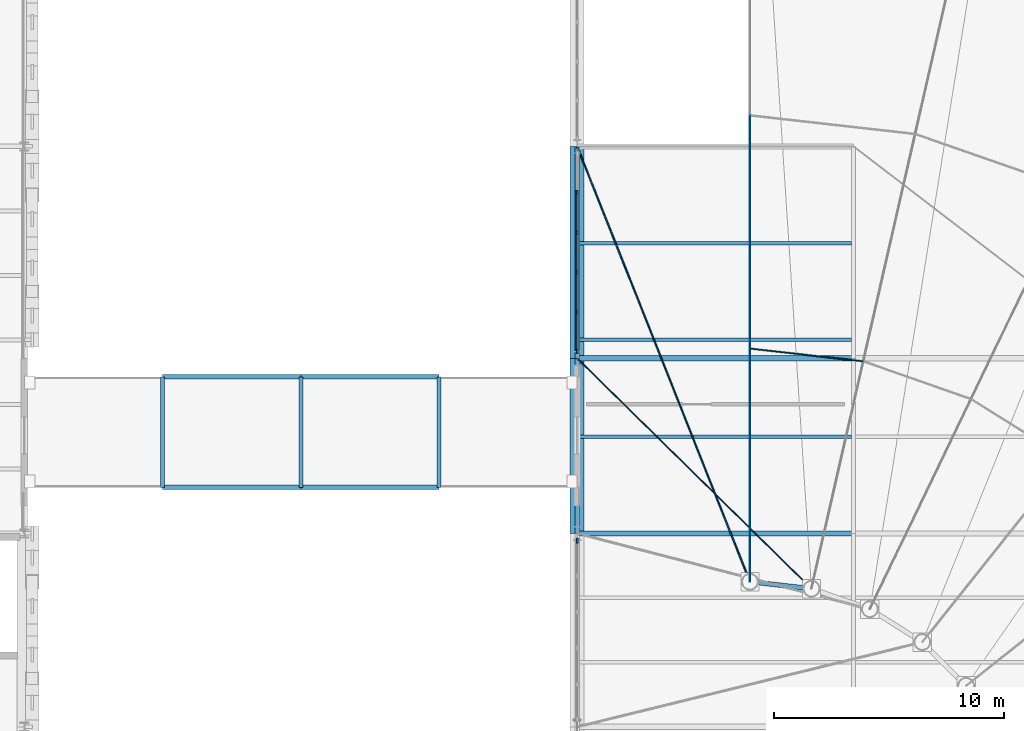
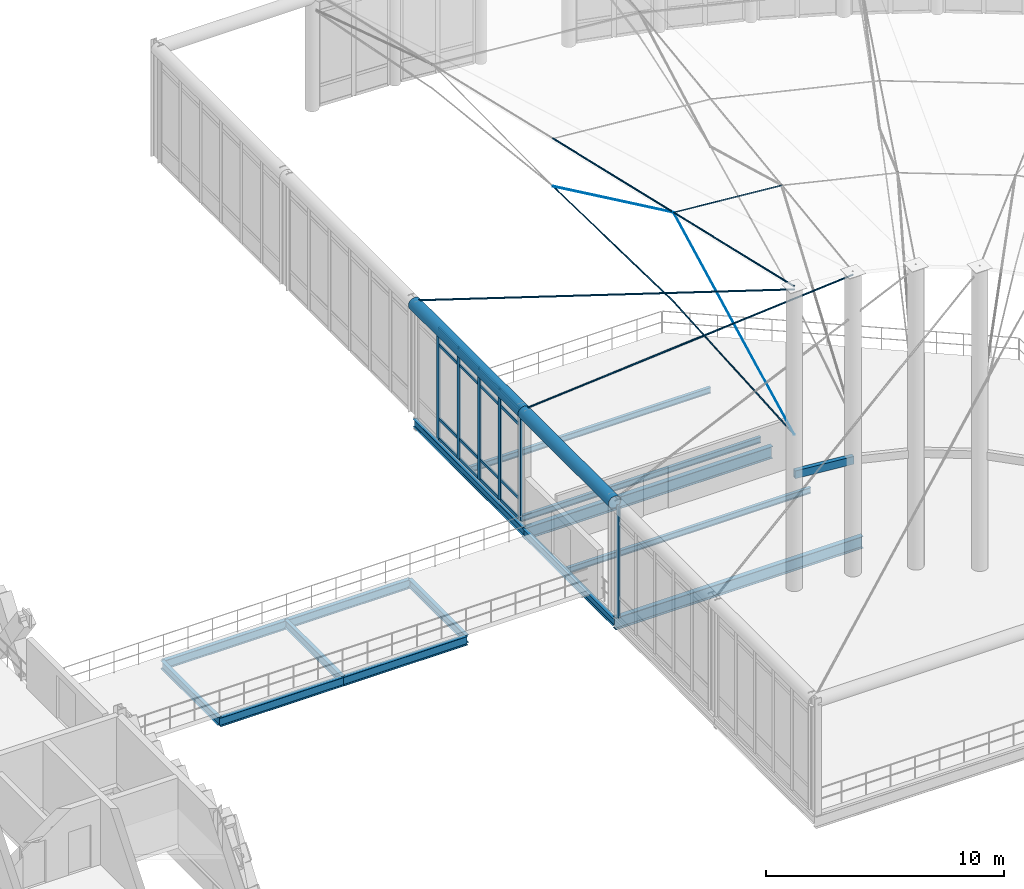
# One storey, part 41 of 101: 31 members, 17 beams, 2 elements without a shape of their own.
"""IFC4 building model written with IfcOpenShell, lengths in metres."""

from ifc_helpers import new_model, si_unit, direction, frame, origin, origin_2d, place, context, subcontext, project, spatial, rectangle, hollow_rectangle, circle, hollow_circle, i_section, extrude, material, layer, layer_set, material_profile, profile_set, type_object, element, aggregate, save


model = new_model("IFC4")

# Units and contexts
model_context = context("Model", 3, precision=1e-05, world=origin(), true_north=direction((0.0, 1.0)))
body_context = subcontext(model_context, "Body", "Model", "MODEL_VIEW")
ifc_project = project(units=[si_unit("LENGTHUNIT", "METRE"), si_unit("AREAUNIT", "SQUARE_METRE"), si_unit("VOLUMEUNIT", "CUBIC_METRE"), si_unit("PLANEANGLEUNIT", "RADIAN"), si_unit("MASSUNIT", "GRAM", prefix="KILO"), si_unit("THERMODYNAMICTEMPERATUREUNIT", "KELVIN"), si_unit("POWERUNIT", "WATT")], contexts=[model_context])

# Site, building, storey
site_placement = place(None, origin())
site = spatial("IfcSite", under=ifc_project, at=site_placement, CompositionType="ELEMENT")
building_placement = place(site_placement, origin())
building = spatial("IfcBuilding", under=site, at=building_placement, Name="Tembeka Court Mobility Hub", CompositionType="ELEMENT")
storey_placement = place(building_placement, frame((0.0, 0.0, 5.39990234375)))
storey = spatial("IfcBuildingStorey", under=building, at=storey_placement, Name="L01", CompositionType="ELEMENT", Elevation=5.39990234375)

# Beams
ifc_material_1 = material(Name="Steel S355", Category="steel")
ifc_material_profile_1 = material_profile(ifc_material_1, i_section(OverallWidth=0.18994140625, OverallDepth=0.45703125, WebThickness=0.009033203125, FlangeThickness=0.014404296875, FilletRadius=0.01025390625, at=origin_2d()), Name="UKB 457x191x74")
ifc_profile_set_1 = profile_set([ifc_material_profile_1], Name="Steel S355")
beam_type_1 = type_object("IfcBeamType", Name="BM-B01", PredefinedType="BEAM", material=ifc_profile_set_1)
for number, where, z_axis, x_axis, name in (
    (1, (98.39990234375, 82.39990234375, -0.45849609375), (1.0, 0.0, 0.0), (0.0, 1.0, 0.0), "Beam B01 (BM-L01-X0729)"),
    (2, (104.39990234375, 82.39990234375, -0.45849609375), (1.0, 0.0, 0.0), (0.0, 1.0, 0.0), "Beam B01 (BM-L01-X0730)"),
    (3, (98.39990234375, 87.199951171875, -0.45849609375), (1.0, 0.0, 0.0), (0.0, 1.0, 0.0), "Beam B01 (BM-L01-X0731)"),
    (4, (104.39990234375, 87.199951171875, -0.45849609375), (1.0, 0.0, 0.0), (0.0, 1.0, 0.0), "Beam B01 (BM-L01-X0732)"),
):
    element("IfcBeam", number, at=place(storey_placement, frame(where, z_axis=z_axis, x_axis=x_axis)), inside=storey, type_object=beam_type_1, Name=name, PredefinedType="BEAM", context=body_context, shape_type="SweptSolid", body=[
        extrude(i_section(OverallWidth=0.18994140625, OverallDepth=0.45703125, WebThickness=0.009033203125, FlangeThickness=0.014404296875, FilletRadius=0.01025390625, at=origin_2d()), origin(), (0.0, 0.0, 1.0), 6.0),
    ])
ifc_material_profile_2 = material_profile(ifc_material_1, i_section(OverallWidth=0.177978515625, OverallDepth=0.406005859375, WebThickness=0.0078125, FlangeThickness=0.0126953125, FilletRadius=0.01025390625, at=origin_2d()), Name="UKB 406x178x60")
ifc_profile_set_2 = profile_set([ifc_material_profile_2], Name="Steel S355")
beam_type_2 = type_object("IfcBeamType", Name="BM-B02", PredefinedType="BEAM", material=ifc_profile_set_2)
for number, where, z_axis, x_axis, name in (
    (5, (98.39990234375, 82.39990234375, -0.432861328125), (0.0, 1.0, 0.0), (-1.0, 0.0, 0.0), "Beam B02 (BM-L01-Y0867)"),
    (6, (104.39990234375, 82.39990234375, -0.432861328125), (0.0, 1.0, 0.0), (-1.0, 0.0, 0.0), "Beam B02 (BM-L01-Y0869)"),
    (7, (110.39990234375, 82.39990234375, -0.432861328125), (0.0, 1.0, 0.0), (-1.0, 0.0, 0.0), "Beam B02 (BM-L01-Y0871)"),
):
    element("IfcBeam", number, at=place(storey_placement, frame(where, z_axis=z_axis, x_axis=x_axis)), inside=storey, type_object=beam_type_2, Name=name, PredefinedType="BEAM", context=body_context, shape_type="SweptSolid", body=[
        extrude(i_section(OverallWidth=0.177978515625, OverallDepth=0.406005859375, WebThickness=0.0078125, FlangeThickness=0.0126953125, FilletRadius=0.01025390625, at=origin_2d()), origin(), (0.0, 0.0, 1.0), 4.800048828125),
    ])
beam_1_placement = place(storey_placement, frame((116.39990234375, 80.39990234375, -0.432861328125), z_axis=(0.0, 1.0, 0.0), x_axis=(-1.0, 0.0, 0.0)))
element("IfcBeam", 8, at=beam_1_placement, inside=storey, type_object=beam_type_2, Name="Beam B02 (BM-L01-Y0878)", PredefinedType="BEAM", context=body_context, shape_type="SweptSolid", body=[
    extrude(i_section(OverallWidth=0.177978515625, OverallDepth=0.406005859375, WebThickness=0.0078125, FlangeThickness=0.0126953125, FilletRadius=0.01025390625, at=origin_2d()), origin(), (0.0, 0.0, 1.0), 7.60009765625),
])
beam_2_placement = place(storey_placement, frame((116.39990234375, 88.0, -0.392822265625), z_axis=(0.0, 1.0, 0.0), x_axis=(-1.0, 0.0, 0.0)))
element("IfcBeam", 9, at=beam_2_placement, inside=storey, type_object=beam_type_2, Name="Beam B02 (BM-L01-Y0879)", PredefinedType="BEAM", context=body_context, shape_type="SweptSolid", body=[
    extrude(i_section(OverallWidth=0.177978515625, OverallDepth=0.406005859375, WebThickness=0.0078125, FlangeThickness=0.0126953125, FilletRadius=0.01025390625, at=origin_2d()), origin(), (0.0, 0.0, 1.0), 9.199951171875),
])
ifc_material_profile_3 = material_profile(ifc_material_1, i_section(OverallWidth=0.22900390625, OverallDepth=0.612060546875, WebThickness=0.011962890625, FlangeThickness=0.01953125, FilletRadius=0.0126953125, at=origin_2d()), Name="UKB 610x229x125")
ifc_profile_set_3 = profile_set([ifc_material_profile_3], Name="Steel S355")
beam_type_3 = type_object("IfcBeamType", Name="BM-G02", PredefinedType="USERDEFINED", material=ifc_profile_set_3)
for number, where, z_axis, x_axis, name in (
    (10, (116.39990234375, 80.39990234375, -0.495849609375), (1.0, 0.0, 0.0), (0.0, 1.0, 0.0), "Beam G02 (BM-L01-X0727)"),
    (11, (116.39990234375, 88.0, -0.495849609375), (1.0, 0.0, 0.0), (0.0, 1.0, 0.0), "Beam G02 (BM-L01-X0733)"),
):
    element("IfcBeam", number, at=place(storey_placement, frame(where, z_axis=z_axis, x_axis=x_axis)), inside=storey, type_object=beam_type_3, Name=name, ObjectType="GIRDER", PredefinedType="USERDEFINED", context=body_context, shape_type="SweptSolid", body=[
        extrude(i_section(OverallWidth=0.22900390625, OverallDepth=0.612060546875, WebThickness=0.011962890625, FlangeThickness=0.01953125, FilletRadius=0.0126953125, at=origin_2d()), origin(), (0.0, 0.0, 1.0), 12.0),
    ])
ifc_material_profile_4 = material_profile(ifc_material_1, i_section(OverallWidth=0.14990234375, OverallDepth=0.300048828125, WebThickness=0.007080078125, FlangeThickness=0.0107421875, FilletRadius=0.014892578125, at=origin_2d()), Name="IPE 300")
ifc_profile_set_4 = profile_set([ifc_material_profile_4], Name="Steel S355")
beam_type_4 = type_object("IfcBeamType", Name="BM-J04", PredefinedType="JOIST", material=ifc_profile_set_4)
for number, where, z_axis, x_axis, name in (
    (12, (116.48388671875, 84.60009765625, -0.3798828125), (1.0, 0.0, 0.0), (0.0, 1.0, 0.0), "Beam J04 (JST-L01-1119)"),
    (13, (116.48388671875, 88.800048828125, -0.33984375), (1.0, 0.0, 0.0), (0.0, 1.0, 0.0), "Beam J04 (JST-L01-1120)"),
    (14, (116.48388671875, 93.0, -0.33984375), (1.0, 0.0, 0.0), (0.0, 1.0, 0.0), "Beam J04 (JST-L01-1121)"),
):
    element("IfcBeam", number, at=place(storey_placement, frame(where, z_axis=z_axis, x_axis=x_axis)), inside=storey, type_object=beam_type_4, Name=name, PredefinedType="JOIST", context=body_context, shape_type="SweptSolid", body=[
        extrude(i_section(OverallWidth=0.14990234375, OverallDepth=0.300048828125, WebThickness=0.007080078125, FlangeThickness=0.0107421875, FilletRadius=0.014892578125, at=origin_2d()), origin(), (0.0, 0.0, 1.0), 11.83203125),
    ])
ifc_material_profile_5 = material_profile(ifc_material_1, hollow_circle(Radius=0.304931640625, WallThickness=0.02001953125, at=origin_2d()), Name="CHS 610x20")
ifc_profile_set_5 = profile_set([ifc_material_profile_5], Name="Steel S355")
beam_type_5 = type_object("IfcBeamType", Name="BM-RB01", PredefinedType="BEAM", material=ifc_profile_set_5)
beam_3_placement = place(storey_placement, frame((116.39990234375, 97.199951171875, 5.695068359375), z_axis=(0.0, -1.0, 0.0), x_axis=(1.0, 0.0, 0.0)))
element("IfcBeam", 15, at=beam_3_placement, inside=storey, type_object=beam_type_5, Name="Concourse inner chord ring beam RB01-CH04", PredefinedType="BEAM", context=body_context, shape_type="SweptSolid", body=[
    extrude(hollow_circle(Radius=0.304931640625, WallThickness=0.02001953125, at=origin_2d()), origin(), (0.0, 0.0, 1.0), 9.199951171875),
])
beam_4_placement = place(storey_placement, frame((116.39990234375, 88.0, 5.695068359375), z_axis=(0.0, -1.0, 0.0), x_axis=(1.0, 0.0, 0.0)))
element("IfcBeam", 16, at=beam_4_placement, inside=storey, type_object=beam_type_5, Name="Concourse inner chord ring beam RB01-CH05", PredefinedType="BEAM", context=body_context, shape_type="SweptSolid", body=[
    extrude(hollow_circle(Radius=0.304931640625, WallThickness=0.02001953125, at=origin_2d()), origin(), (0.0, 0.0, 1.0), 7.60009765625),
])
ifc_material_profile_6 = material_profile(ifc_material_1, hollow_rectangle(XDim=0.199951171875, YDim=0.39990234375, WallThickness=0.012451171875, at=origin_2d()), Name="RHS 400x200x12.5")
ifc_profile_set_6 = profile_set([ifc_material_profile_6], Name="Steel S355")
beam_type_6 = type_object("IfcBeamType", Name="BM-RB02", PredefinedType="BEAM", material=ifc_profile_set_6)
beam_5_placement = place(storey_placement, frame((126.5703125, 77.9990234375, 5.800048828125), z_axis=(-0.993706311733, 0.112016811334, 0.0), x_axis=(-0.112016811334, -0.993706311733, 0.0)))
element("IfcBeam", 17, at=beam_5_placement, inside=storey, type_object=beam_type_6, Name="Concourse inner mast ring beam RB02-07", PredefinedType="BEAM", context=body_context, shape_type="SweptSolid", body=[
    extrude(hollow_rectangle(XDim=0.199951171875, YDim=0.39990234375, WallThickness=0.012451171875, at=origin_2d()), origin(), (0.0, 0.0, 1.0), 2.687255859375),
])

# Curtain wall, member
ifc_material_2 = material(Name="Anodised aluminium 6063-T6", Category="aluminium")
ifc_layer_1 = layer(ifc_material_2, 0.199951171875)
ifc_layer_set_1 = layer_set([ifc_layer_1], Name="Anodised aluminium 6063-T6")
curtain_wall_type_1 = type_object("IfcCurtainWallType", Name="CW-SYS26", PredefinedType="USERDEFINED", material=ifc_layer_set_1)
curtain_wall_1_placement = place(storey_placement, origin())
curtain_wall_1 = element("IfcCurtainWall", 18, at=curtain_wall_1_placement, inside=storey, type_object=curtain_wall_type_1, Name="Unitised curtain wall CW26 (CW-L01-085)", ObjectType="UNITISED GLAZING", PredefinedType="USERDEFINED")
ifc_material_profile_7 = material_profile(ifc_material_2, rectangle(XDim=0.074951171875, YDim=0.199951171875, at=origin_2d()), Name="ALU-MUL 75x200")
ifc_profile_set_7 = profile_set([ifc_material_profile_7], Name="Anodised aluminium 6063-T6")
member_type_1 = type_object("IfcMemberType", Name="CW-MUL02", PredefinedType="MULLION", material=ifc_profile_set_7)
member_1_placement = place(storey_placement, frame((116.39990234375, 80.08251953125, 0.0), z_axis=(0.0, 0.0, 1.0), x_axis=(-1.0, 0.0, 0.0)))
member_1 = element("IfcMember", 19, at=member_1_placement, type_object=member_type_1, Name="CW26 mullion 6", PredefinedType="MULLION", context=body_context, shape_type="SweptSolid", body=[
    extrude(rectangle(XDim=0.074951171875, YDim=0.199951171875, at=origin_2d()), origin(), (0.0, 0.0, 1.0), 5.7001953125),
])
aggregate(curtain_wall_1, [member_1])

# Curtain wall, members
ifc_layer_2 = layer(ifc_material_2, 0.199951171875)
ifc_layer_set_2 = layer_set([ifc_layer_2], Name="Anodised aluminium 6063-T6")
curtain_wall_type_2 = type_object("IfcCurtainWallType", Name="CW-SYS29", PredefinedType="USERDEFINED", material=ifc_layer_set_2)
curtain_wall_2_placement = place(storey_placement, origin())
curtain_wall_2 = element("IfcCurtainWall", 20, at=curtain_wall_2_placement, inside=storey, type_object=curtain_wall_type_2, Name="Unitised curtain wall CW29 (CW-L01-088)", ObjectType="UNITISED GLAZING", PredefinedType="USERDEFINED")
member_2_placement = place(storey_placement, frame((116.39990234375, 88.3173828125, 0.0), z_axis=(0.0, 0.0, 1.0), x_axis=(-1.0, 0.0, 0.0)))
member_2 = element("IfcMember", 21, at=member_2_placement, type_object=member_type_1, Name="CW29 mullion 1", PredefinedType="MULLION", context=body_context, shape_type="SweptSolid", body=[
    extrude(rectangle(XDim=0.074951171875, YDim=0.199951171875, at=origin_2d()), origin(), (0.0, 0.0, 1.0), 5.7001953125),
])
member_3_placement = place(storey_placement, frame((116.39990234375, 90.008056640625, 0.0), z_axis=(0.0, 0.0, 1.0), x_axis=(-1.0, 0.0, 0.0)))
member_3 = element("IfcMember", 22, at=member_3_placement, type_object=member_type_1, Name="CW29 mullion 2", PredefinedType="MULLION", context=body_context, shape_type="SweptSolid", body=[
    extrude(rectangle(XDim=0.074951171875, YDim=0.199951171875, at=origin_2d()), origin(), (0.0, 0.0, 1.0), 5.7001953125),
])
member_4_placement = place(storey_placement, frame((116.39990234375, 91.736083984375, 0.0), z_axis=(0.0, 0.0, 1.0), x_axis=(-1.0, 0.0, 0.0)))
member_4 = element("IfcMember", 23, at=member_4_placement, type_object=member_type_1, Name="CW29 mullion 3", PredefinedType="MULLION", context=body_context, shape_type="SweptSolid", body=[
    extrude(rectangle(XDim=0.074951171875, YDim=0.199951171875, at=origin_2d()), origin(), (0.0, 0.0, 1.0), 5.7001953125),
])
member_5_placement = place(storey_placement, frame((116.39990234375, 93.464111328125, 0.0), z_axis=(0.0, 0.0, 1.0), x_axis=(-1.0, 0.0, 0.0)))
member_5 = element("IfcMember", 24, at=member_5_placement, type_object=member_type_1, Name="CW29 mullion 4", PredefinedType="MULLION", context=body_context, shape_type="SweptSolid", body=[
    extrude(rectangle(XDim=0.074951171875, YDim=0.199951171875, at=origin_2d()), origin(), (0.0, 0.0, 1.0), 5.7001953125),
])
member_6_placement = place(storey_placement, frame((116.39990234375, 95.19189453125, 0.0), z_axis=(0.0, 0.0, 1.0), x_axis=(-1.0, 0.0, 0.0)))
member_6 = element("IfcMember", 25, at=member_6_placement, type_object=member_type_1, Name="CW29 mullion 5", PredefinedType="MULLION", context=body_context, shape_type="SweptSolid", body=[
    extrude(rectangle(XDim=0.074951171875, YDim=0.199951171875, at=origin_2d()), origin(), (0.0, 0.0, 1.0), 5.7001953125),
])
ifc_material_profile_8 = material_profile(ifc_material_2, rectangle(XDim=0.074951171875, YDim=0.14990234375, at=origin_2d()), Name="ALU-TRN 75x150")
ifc_profile_set_8 = profile_set([ifc_material_profile_8], Name="Anodised aluminium 6063-T6")
member_type_2 = type_object("IfcMemberType", Name="CW-TRN02", PredefinedType="USERDEFINED", material=ifc_profile_set_8)
member_7_placement = place(storey_placement, frame((116.39990234375, 88.35498046875, 0.03759765625), z_axis=(0.0, 1.0, 0.0), x_axis=(-1.0, 0.0, 0.0)))
member_7 = element("IfcMember", 26, at=member_7_placement, type_object=member_type_2, Name="CW29 transom 1.1", ObjectType="TRANSOM", PredefinedType="USERDEFINED", context=body_context, shape_type="SweptSolid", body=[
    extrude(rectangle(XDim=0.074951171875, YDim=0.14990234375, at=origin_2d()), origin(), (0.0, 0.0, 1.0), 1.615478515625),
])
member_8_placement = place(storey_placement, frame((116.39990234375, 88.35498046875, 1.050048828125), z_axis=(0.0, 1.0, 0.0), x_axis=(-1.0, 0.0, 0.0)))
member_8 = element("IfcMember", 27, at=member_8_placement, type_object=member_type_2, Name="CW29 transom 1.2", ObjectType="TRANSOM", PredefinedType="USERDEFINED", context=body_context, shape_type="SweptSolid", body=[
    extrude(rectangle(XDim=0.074951171875, YDim=0.14990234375, at=origin_2d()), origin(), (0.0, 0.0, 1.0), 1.615478515625),
])
member_9_placement = place(storey_placement, frame((116.39990234375, 88.35498046875, 4.85009765625), z_axis=(0.0, 1.0, 0.0), x_axis=(-1.0, 0.0, 0.0)))
member_9 = element("IfcMember", 28, at=member_9_placement, type_object=member_type_2, Name="CW29 transom 1.3", ObjectType="TRANSOM", PredefinedType="USERDEFINED", context=body_context, shape_type="SweptSolid", body=[
    extrude(rectangle(XDim=0.074951171875, YDim=0.14990234375, at=origin_2d()), origin(), (0.0, 0.0, 1.0), 1.615478515625),
])
member_10_placement = place(storey_placement, frame((116.39990234375, 88.35498046875, 5.66259765625), z_axis=(0.0, 1.0, 0.0), x_axis=(-1.0, 0.0, 0.0)))
member_10 = element("IfcMember", 29, at=member_10_placement, type_object=member_type_2, Name="CW29 transom 1.4", ObjectType="TRANSOM", PredefinedType="USERDEFINED", context=body_context, shape_type="SweptSolid", body=[
    extrude(rectangle(XDim=0.074951171875, YDim=0.14990234375, at=origin_2d()), origin(), (0.0, 0.0, 1.0), 1.615478515625),
])
member_11_placement = place(storey_placement, frame((116.39990234375, 90.04541015625, 0.03759765625), z_axis=(0.0, 1.0, 0.0), x_axis=(-1.0, 0.0, 0.0)))
member_11 = element("IfcMember", 30, at=member_11_placement, type_object=member_type_2, Name="CW29 transom 2.1", ObjectType="TRANSOM", PredefinedType="USERDEFINED", context=body_context, shape_type="SweptSolid", body=[
    extrude(rectangle(XDim=0.074951171875, YDim=0.14990234375, at=origin_2d()), origin(), (0.0, 0.0, 1.0), 1.653076171875),
])
member_12_placement = place(storey_placement, frame((116.39990234375, 90.04541015625, 1.050048828125), z_axis=(0.0, 1.0, 0.0), x_axis=(-1.0, 0.0, 0.0)))
member_12 = element("IfcMember", 31, at=member_12_placement, type_object=member_type_2, Name="CW29 transom 2.2", ObjectType="TRANSOM", PredefinedType="USERDEFINED", context=body_context, shape_type="SweptSolid", body=[
    extrude(rectangle(XDim=0.074951171875, YDim=0.14990234375, at=origin_2d()), origin(), (0.0, 0.0, 1.0), 1.653076171875),
])
member_13_placement = place(storey_placement, frame((116.39990234375, 90.04541015625, 4.85009765625), z_axis=(0.0, 1.0, 0.0), x_axis=(-1.0, 0.0, 0.0)))
member_13 = element("IfcMember", 32, at=member_13_placement, type_object=member_type_2, Name="CW29 transom 2.3", ObjectType="TRANSOM", PredefinedType="USERDEFINED", context=body_context, shape_type="SweptSolid", body=[
    extrude(rectangle(XDim=0.074951171875, YDim=0.14990234375, at=origin_2d()), origin(), (0.0, 0.0, 1.0), 1.653076171875),
])
member_14_placement = place(storey_placement, frame((116.39990234375, 90.04541015625, 5.66259765625), z_axis=(0.0, 1.0, 0.0), x_axis=(-1.0, 0.0, 0.0)))
member_14 = element("IfcMember", 33, at=member_14_placement, type_object=member_type_2, Name="CW29 transom 2.4", ObjectType="TRANSOM", PredefinedType="USERDEFINED", context=body_context, shape_type="SweptSolid", body=[
    extrude(rectangle(XDim=0.074951171875, YDim=0.14990234375, at=origin_2d()), origin(), (0.0, 0.0, 1.0), 1.653076171875),
])
member_15_placement = place(storey_placement, frame((116.39990234375, 91.7734375, 0.03759765625), z_axis=(0.0, 1.0, 0.0), x_axis=(-1.0, 0.0, 0.0)))
member_15 = element("IfcMember", 34, at=member_15_placement, type_object=member_type_2, Name="CW29 transom 3.1", ObjectType="TRANSOM", PredefinedType="USERDEFINED", context=body_context, shape_type="SweptSolid", body=[
    extrude(rectangle(XDim=0.074951171875, YDim=0.14990234375, at=origin_2d()), origin(), (0.0, 0.0, 1.0), 1.653076171875),
])
member_16_placement = place(storey_placement, frame((116.39990234375, 91.7734375, 1.050048828125), z_axis=(0.0, 1.0, 0.0), x_axis=(-1.0, 0.0, 0.0)))
member_16 = element("IfcMember", 35, at=member_16_placement, type_object=member_type_2, Name="CW29 transom 3.2", ObjectType="TRANSOM", PredefinedType="USERDEFINED", context=body_context, shape_type="SweptSolid", body=[
    extrude(rectangle(XDim=0.074951171875, YDim=0.14990234375, at=origin_2d()), origin(), (0.0, 0.0, 1.0), 1.653076171875),
])
member_17_placement = place(storey_placement, frame((116.39990234375, 91.7734375, 4.85009765625), z_axis=(0.0, 1.0, 0.0), x_axis=(-1.0, 0.0, 0.0)))
member_17 = element("IfcMember", 36, at=member_17_placement, type_object=member_type_2, Name="CW29 transom 3.3", ObjectType="TRANSOM", PredefinedType="USERDEFINED", context=body_context, shape_type="SweptSolid", body=[
    extrude(rectangle(XDim=0.074951171875, YDim=0.14990234375, at=origin_2d()), origin(), (0.0, 0.0, 1.0), 1.653076171875),
])
member_18_placement = place(storey_placement, frame((116.39990234375, 91.7734375, 5.66259765625), z_axis=(0.0, 1.0, 0.0), x_axis=(-1.0, 0.0, 0.0)))
member_18 = element("IfcMember", 37, at=member_18_placement, type_object=member_type_2, Name="CW29 transom 3.4", ObjectType="TRANSOM", PredefinedType="USERDEFINED", context=body_context, shape_type="SweptSolid", body=[
    extrude(rectangle(XDim=0.074951171875, YDim=0.14990234375, at=origin_2d()), origin(), (0.0, 0.0, 1.0), 1.653076171875),
])
member_19_placement = place(storey_placement, frame((116.39990234375, 93.50146484375, 0.03759765625), z_axis=(0.0, 1.0, 0.0), x_axis=(-1.0, 0.0, 0.0)))
member_19 = element("IfcMember", 38, at=member_19_placement, type_object=member_type_2, Name="CW29 transom 4.1", ObjectType="TRANSOM", PredefinedType="USERDEFINED", context=body_context, shape_type="SweptSolid", body=[
    extrude(rectangle(XDim=0.074951171875, YDim=0.14990234375, at=origin_2d()), origin(), (0.0, 0.0, 1.0), 1.653076171875),
])
member_20_placement = place(storey_placement, frame((116.39990234375, 93.50146484375, 1.050048828125), z_axis=(0.0, 1.0, 0.0), x_axis=(-1.0, 0.0, 0.0)))
member_20 = element("IfcMember", 39, at=member_20_placement, type_object=member_type_2, Name="CW29 transom 4.2", ObjectType="TRANSOM", PredefinedType="USERDEFINED", context=body_context, shape_type="SweptSolid", body=[
    extrude(rectangle(XDim=0.074951171875, YDim=0.14990234375, at=origin_2d()), origin(), (0.0, 0.0, 1.0), 1.653076171875),
])
member_21_placement = place(storey_placement, frame((116.39990234375, 93.50146484375, 4.85009765625), z_axis=(0.0, 1.0, 0.0), x_axis=(-1.0, 0.0, 0.0)))
member_21 = element("IfcMember", 40, at=member_21_placement, type_object=member_type_2, Name="CW29 transom 4.3", ObjectType="TRANSOM", PredefinedType="USERDEFINED", context=body_context, shape_type="SweptSolid", body=[
    extrude(rectangle(XDim=0.074951171875, YDim=0.14990234375, at=origin_2d()), origin(), (0.0, 0.0, 1.0), 1.653076171875),
])
member_22_placement = place(storey_placement, frame((116.39990234375, 93.50146484375, 5.66259765625), z_axis=(0.0, 1.0, 0.0), x_axis=(-1.0, 0.0, 0.0)))
member_22 = element("IfcMember", 41, at=member_22_placement, type_object=member_type_2, Name="CW29 transom 4.4", ObjectType="TRANSOM", PredefinedType="USERDEFINED", context=body_context, shape_type="SweptSolid", body=[
    extrude(rectangle(XDim=0.074951171875, YDim=0.14990234375, at=origin_2d()), origin(), (0.0, 0.0, 1.0), 1.653076171875),
])
aggregate(curtain_wall_2, [member_2, member_3, member_4, member_5, member_6, member_7, member_8, member_9, member_10, member_11, member_12, member_13, member_14, member_15, member_16, member_17, member_18, member_19, member_20, member_21, member_22])

# Members
ifc_material_3 = material(Name="Steel S460", Category="steel")
ifc_material_profile_9 = material_profile(ifc_material_3, circle(Radius=0.031982421875, at=origin_2d()), Name="CABLE D64")
ifc_profile_set_9 = profile_set([ifc_material_profile_9], Name="Steel S460")
member_type_3 = type_object("IfcMemberType", Name="MEM-CB01", PredefinedType="USERDEFINED", material=ifc_profile_set_9)
member_23_placement = place(storey_placement, frame((116.39990234375, 88.0, 5.85009765625), z_axis=(0.595366928963, -0.585448434347, 0.550262074486), x_axis=(0.701142562366, 0.713021112758, 0.0)))
element("IfcMember", 42, at=member_23_placement, inside=storey, type_object=member_type_3, Name="Concourse mast M7 backstay cable CB01", ObjectType="CABLE", PredefinedType="USERDEFINED", context=body_context, shape_type="SweptSolid", body=[
    extrude(circle(Radius=0.031982421875, at=origin_2d()), origin(), (0.0, 0.0, 1.0), 17.08251953125),
])
member_24_placement = place(storey_placement, frame((116.39990234375, 97.199951171875, 5.85009765625), z_axis=(0.334803255407, -0.843699844208, 0.419615720693), x_axis=(0.929490057776, 0.368847166854, 0.0)))
element("IfcMember", 43, at=member_24_placement, inside=storey, type_object=member_type_3, Name="Concourse mast M8 backstay cable CB01", ObjectType="CABLE", PredefinedType="USERDEFINED", context=body_context, shape_type="SweptSolid", body=[
    extrude(circle(Radius=0.031982421875, at=origin_2d()), origin(), (0.0, 0.0, 1.0), 22.401123046875),
])
for number, where, z_axis, x_axis, name in (
    (44, (123.89990234375, 78.300048828125, 15.400146484375), (0.0, 0.974104590881, -0.226097868244), (-1.0, 0.0, 0.0), "Concourse radial ridge cable CB01-8-1"),
    (45, (123.89990234375, 88.425048828125, 13.050048828125), (0.0, 0.974109763775, -0.226075580544), (-1.0, 0.0, 0.0), "Concourse radial ridge cable CB01-8-2"),
):
    element("IfcMember", number, at=place(storey_placement, frame(where, z_axis=z_axis, x_axis=x_axis)), inside=storey, type_object=member_type_3, Name=name, ObjectType="CABLE", PredefinedType="USERDEFINED", context=body_context, shape_type="SweptSolid", body=[
        extrude(circle(Radius=0.031982421875, at=origin_2d()), origin(), (0.0, 0.0, 1.0), 10.39404296875),
    ])
ifc_material_profile_10 = material_profile(ifc_material_3, circle(Radius=0.02392578125, at=origin_2d()), Name="CABLE D48")
ifc_profile_set_10 = profile_set([ifc_material_profile_10], Name="Steel S460")
member_type_4 = type_object("IfcMemberType", Name="MEM-CB02", PredefinedType="USERDEFINED", material=ifc_profile_set_10)
member_25_placement = place(storey_placement, frame((123.89990234375, 78.300048828125, 7.800048828125), z_axis=(0.0, 0.997784838475, 0.06652380108), x_axis=(-1.0, 0.0, 0.0)))
element("IfcMember", 46, at=member_25_placement, inside=storey, type_object=member_type_4, Name="Concourse radial valley cable CB02-8-1", ObjectType="CABLE", PredefinedType="USERDEFINED", context=body_context, shape_type="SweptSolid", body=[
    extrude(circle(Radius=0.02392578125, at=origin_2d()), origin(), (0.0, 0.0, 1.0), 10.1474609375),
])
member_26_placement = place(storey_placement, frame((123.89990234375, 88.425048828125, 8.47509765625), z_axis=(0.0, 0.999752963609, -0.022226375204), x_axis=(-1.0, 0.0, 0.0)))
element("IfcMember", 47, at=member_26_placement, inside=storey, type_object=member_type_4, Name="Concourse radial valley cable CB02-8-2", ObjectType="CABLE", PredefinedType="USERDEFINED", context=body_context, shape_type="SweptSolid", body=[
    extrude(circle(Radius=0.02392578125, at=origin_2d()), origin(), (0.0, 0.0, 1.0), 10.12744140625),
])
member_27_placement = place(storey_placement, frame((128.8232421875, 87.8701171875, 13.050048828125), z_axis=(-0.993707617485, 0.11200522734, 0.0), x_axis=(-0.11200522734, -0.993707617485, 0.0)))
element("IfcMember", 48, at=member_27_placement, inside=storey, type_object=member_type_4, Name="Concourse circumferential hoop cable CB02-B7-1", ObjectType="CABLE", PredefinedType="USERDEFINED", context=body_context, shape_type="SweptSolid", body=[
    extrude(circle(Radius=0.02392578125, at=origin_2d()), origin(), (0.0, 0.0, 1.0), 4.95458984375),
])
ifc_material_profile_11 = material_profile(ifc_material_3, circle(Radius=0.01806640625, at=origin_2d()), Name="CABLE D36")
ifc_profile_set_11 = profile_set([ifc_material_profile_11], Name="Steel S460")
member_type_5 = type_object("IfcMemberType", Name="MEM-CB03", PredefinedType="USERDEFINED", material=ifc_profile_set_11)
member_28_placement = place(storey_placement, frame((123.89990234375, 78.300048828125, 7.800048828125), z_axis=(0.0, 0.887754531449, 0.460317164455), x_axis=(-1.0, 0.0, 0.0)))
element("IfcMember", 49, at=member_28_placement, inside=storey, type_object=member_type_5, Name="Concourse Jawerth web cable CB03-8-1", ObjectType="CABLE", PredefinedType="USERDEFINED", context=body_context, shape_type="SweptSolid", body=[
    extrude(circle(Radius=0.01806640625, at=origin_2d()), origin(), (0.0, 0.0, 1.0), 11.4052734375),
])
member_29_placement = place(storey_placement, frame((123.89990234375, 88.425048828125, 13.050048828125), z_axis=(0.0, 0.903599816514, -0.428377603985), x_axis=(-1.0, 0.0, 0.0)))
element("IfcMember", 50, at=member_29_placement, inside=storey, type_object=member_type_5, Name="Concourse Jawerth web cable CB03-8-2", ObjectType="CABLE", PredefinedType="USERDEFINED", context=body_context, shape_type="SweptSolid", body=[
    extrude(circle(Radius=0.01806640625, at=origin_2d()), origin(), (0.0, 0.0, 1.0), 11.205078125),
])

save(model, "model.ifc")
